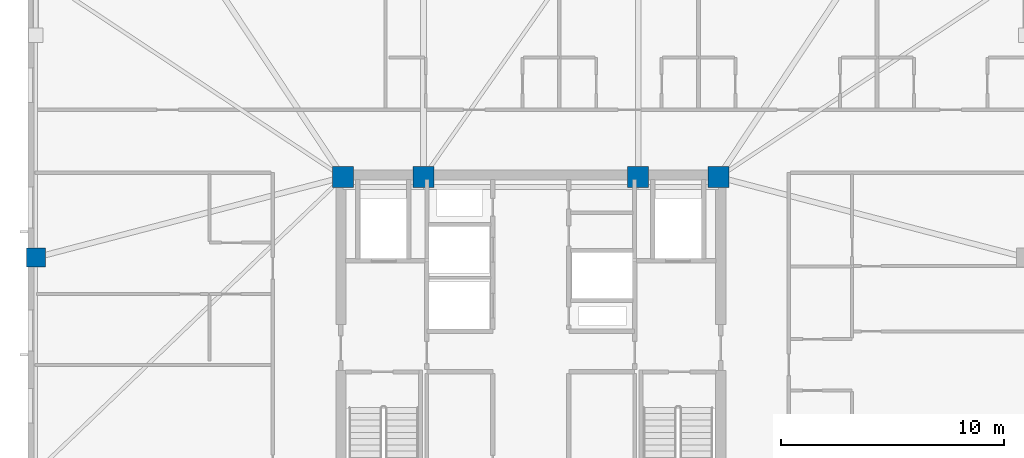
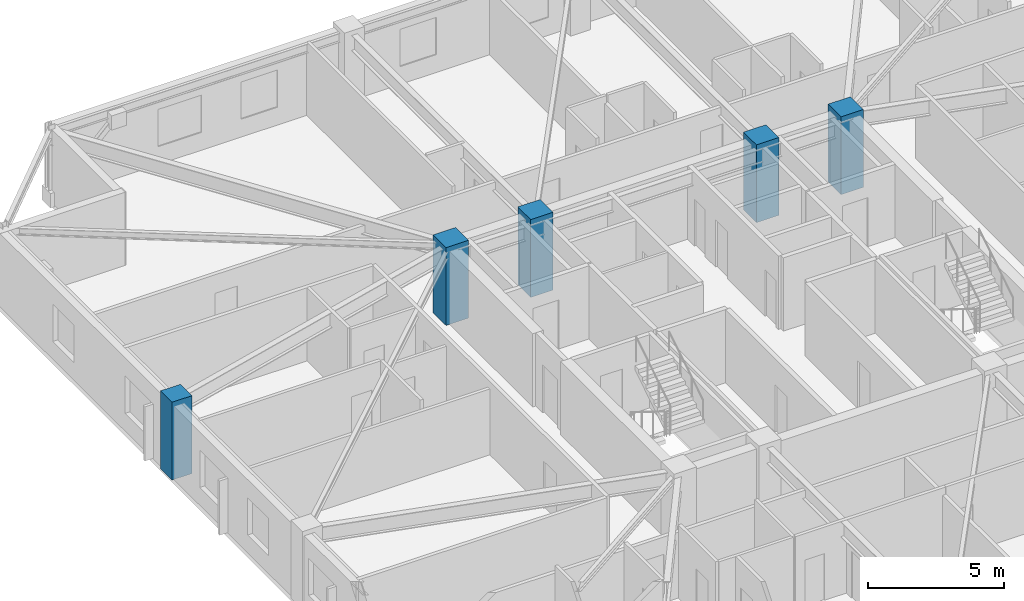
# One storey, part 2 of 15: 5 columns.
"""IFC4 building model written with IfcOpenShell, lengths in metres."""

from ifc_helpers import new_model, si_unit, direction, frame, origin, origin_2d, place, context, subcontext, project, spatial, rectangle, extrude, material, material_profile, profile_set, type_object, element, save


model = new_model("IFC4")

# Units and contexts
model_context = context("Model", 3, precision=1e-05, world=origin(), true_north=direction((0.0, 1.0)))
body_context = subcontext(model_context, "Body", "Model", "MODEL_VIEW")
ifc_project = project(units=[si_unit("LENGTHUNIT", "METRE"), si_unit("AREAUNIT", "SQUARE_METRE"), si_unit("VOLUMEUNIT", "CUBIC_METRE"), si_unit("PLANEANGLEUNIT", "RADIAN"), si_unit("MASSUNIT", "GRAM", prefix="KILO")], contexts=[model_context])

# Site, building, storey
site_placement = place(None, origin())
site = spatial("IfcSite", under=ifc_project, at=site_placement, CompositionType="ELEMENT")
building_placement = place(site_placement, origin())
building = spatial("IfcBuilding", under=site, at=building_placement, Name="Cairnveth Concourse Tower", CompositionType="ELEMENT")
storey_placement = place(building_placement, frame((0.0, 0.0, 265.5)))
storey = spatial("IfcBuildingStorey", under=building, at=storey_placement, Name="L73", CompositionType="ELEMENT", Elevation=265.5)

# Columns
ifc_material = material(Name="Concrete N65 (65 MPa)", Category="concrete")
ifc_material_profile_1 = material_profile(ifc_material, rectangle(XDim=0.949951171875, YDim=0.949951171875, at=origin_2d()), Name="RC-COL-950x950")
ifc_profile_set_1 = profile_set([ifc_material_profile_1], Name="Concrete N65 (65 MPa)")
column_type_1 = type_object("IfcColumnType", Name="CORE COLUMN 950X950", PredefinedType="COLUMN", material=ifc_profile_set_1)
for number, where, z_axis, x_axis, name in (
    (1, (43.60009765625, 47.39990234375, 0.0), (0.0, 0.0, 1.0), (1.0, 0.0, 0.0), "Column CC5 L73"),
    (2, (47.199951171875, 47.39990234375, 0.0), (0.0, 0.0, 1.0), (1.0, 0.0, 0.0), "Column CC6 L73"),
    (3, (56.800048828125, 47.39990234375, 0.0), (0.0, 0.0, 1.0), (1.0, 0.0, 0.0), "Column CC7 L73"),
    (4, (60.39990234375, 47.39990234375, 0.0), (0.0, 0.0, 1.0), (1.0, 0.0, 0.0), "Column CC8 L73"),
):
    element("IfcColumn", number, at=place(storey_placement, frame(where, z_axis=z_axis, x_axis=x_axis)), inside=storey, type_object=column_type_1, Name=name, PredefinedType="COLUMN", context=body_context, shape_type="SweptSolid", body=[
        extrude(rectangle(XDim=0.949951171875, YDim=0.949951171875, at=origin_2d()), origin(), (0.0, 0.0, 1.0), 3.5),
    ])
ifc_material_profile_2 = material_profile(ifc_material, rectangle(XDim=0.85009765625, YDim=0.85009765625, at=origin_2d()), Name="RC-COL-850x850")
ifc_profile_set_2 = profile_set([ifc_material_profile_2], Name="Concrete N65 (65 MPa)")
column_type_2 = type_object("IfcColumnType", Name="PERIMETER PIER COLUMN 850X850", PredefinedType="COLUMN", material=ifc_profile_set_2)
column_placement = place(storey_placement, frame((29.85009765625, 43.800048828125, 0.0), z_axis=(0.0, 0.0, 1.0), x_axis=(0.0, 1.0, 0.0)))
element("IfcColumn", 5, at=column_placement, inside=storey, type_object=column_type_2, Name="Column P-W2 L73", PredefinedType="COLUMN", context=body_context, shape_type="SweptSolid", body=[
    extrude(rectangle(XDim=0.85009765625, YDim=0.85009765625, at=origin_2d()), origin(), (0.0, 0.0, 1.0), 3.5),
])

save(model, "model.ifc")
